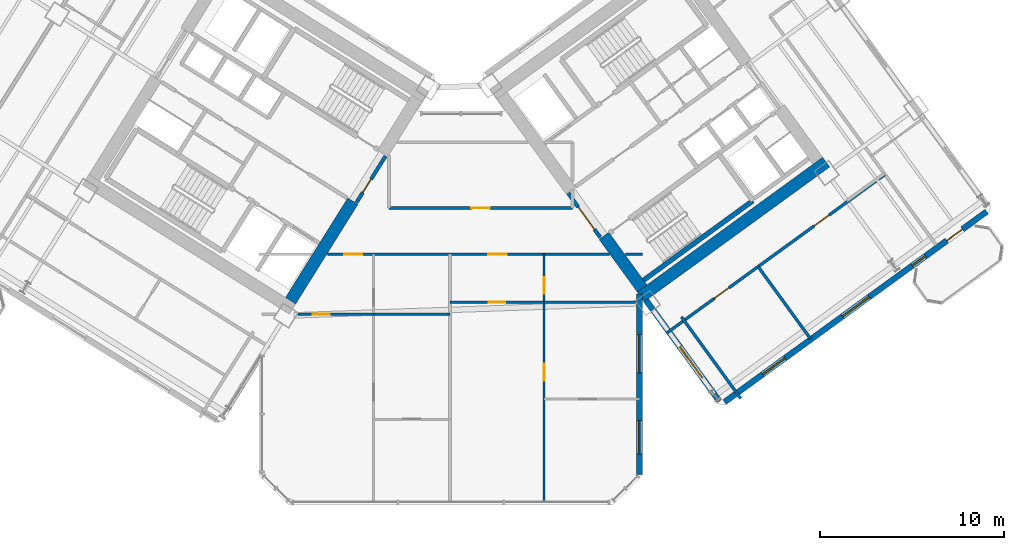
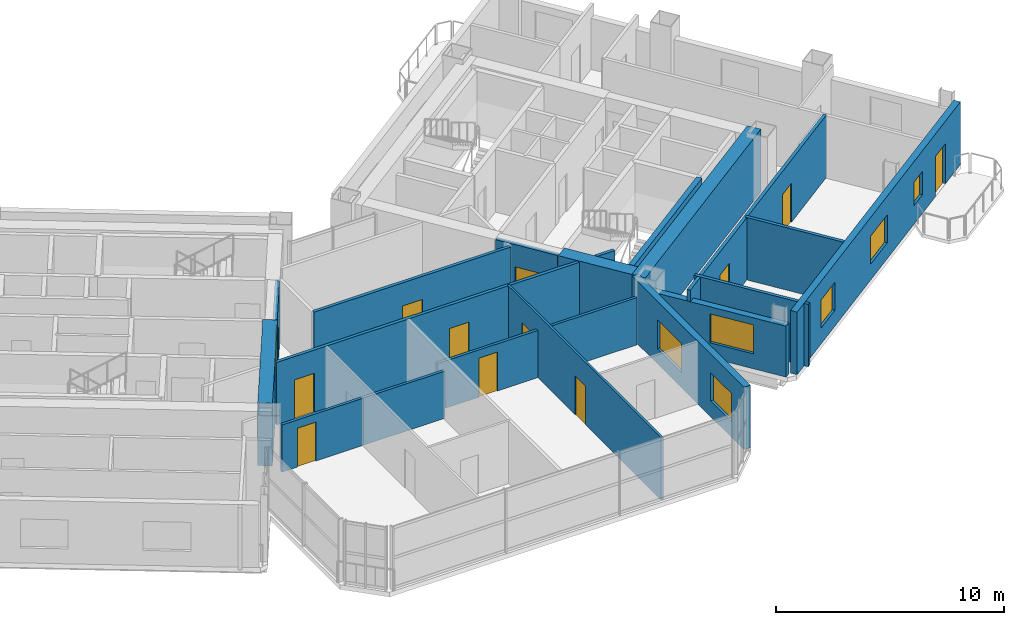
# One storey, part 17 of 24: 20 walls, 12 doors, 6 windows, 18 openings.
"""IFC4 building model written with IfcOpenShell, lengths in metres."""

from ifc_helpers import new_model, si_unit, direction, frame, frame_2d, origin, place, context, subcontext, project, spatial, rectangle, extrude, source, transform, mapped, material, layer, layer_set, type_object, element, fill, save


model = new_model("IFC4")

# Units and contexts
model_context = context("Model", 3, precision=1e-05, world=origin(), true_north=direction((0.0, 1.0)))
body_context = subcontext(model_context, "Body", "Model", "MODEL_VIEW")
ifc_project = project(units=[si_unit("LENGTHUNIT", "METRE"), si_unit("AREAUNIT", "SQUARE_METRE"), si_unit("VOLUMEUNIT", "CUBIC_METRE"), si_unit("PLANEANGLEUNIT", "RADIAN"), si_unit("MASSUNIT", "GRAM", prefix="KILO")], contexts=[model_context])

# Site, building, storey
site_placement = place(None, origin())
site = spatial("IfcSite", under=ifc_project, at=site_placement, CompositionType="ELEMENT")
building_placement = place(site_placement, origin())
building = spatial("IfcBuilding", under=site, at=building_placement, Name="Tlacorven Tower", CompositionType="ELEMENT")
storey_placement = place(building_placement, frame((0.0, 0.0, 38.39990234375)))
storey = spatial("IfcBuildingStorey", under=building, at=storey_placement, Name="L09", CompositionType="ELEMENT", Elevation=38.39990234375)

# Walls
ifc_material_1 = material(Name="Concrete C60/75", Category="concrete")
ifc_layer_1 = layer(ifc_material_1, 0.64990234375)
ifc_layer_set_1 = layer_set([ifc_layer_1], Name="Concrete C60/75")
wall_type_1 = type_object("IfcWallType", Name="WL-COR-650", PredefinedType="SHEAR", material=ifc_layer_set_1)
wall_1_placement = place(storey_placement, frame((36.683349609375, 18.30419921875, 0.0), z_axis=(0.0, 0.0, 1.0), x_axis=(-0.529899109053, -0.848060690178, 0.0)))
element("IfcWall", 1, at=wall_1_placement, inside=storey, type_object=wall_type_1, Name="L09 W core end wall E1.2", PredefinedType="SHEAR", context=body_context, shape_type="SweptSolid", body=[
    extrude(rectangle(XDim=6.375244140625, YDim=0.64990234375, at=frame_2d((3.1875, 0.0))), origin(), (0.0, 0.0, 1.0), 3.35009765625),
])
wall_2_placement = place(storey_placement, frame((52.318359375, 13.1103515625, 0.0), z_axis=(0.0, 0.0, 1.0), x_axis=(0.809019445368, 0.587781878776, 0.0)))
element("IfcWall", 2, at=wall_2_placement, inside=storey, type_object=wall_type_1, Name="L09 E core shear wall S1", PredefinedType="SHEAR", context=body_context, shape_type="SweptSolid", body=[
    extrude(rectangle(XDim=12.43994140625, YDim=0.64990234375, at=frame_2d((6.219970703125, 0.0))), origin(), (0.0, 0.0, 1.0), 3.35009765625),
])
wall_3_placement = place(storey_placement, frame((52.390380859375, 13.564208984375, 0.0), z_axis=(0.0, 0.0, 1.0), x_axis=(-0.58779688989, 0.809008539037, 0.0)))
element("IfcWall", 3, at=wall_3_placement, inside=storey, type_object=wall_type_1, Name="L09 E core end wall E1.1", PredefinedType="SHEAR", context=body_context, shape_type="SweptSolid", body=[
    extrude(rectangle(XDim=3.525146484375, YDim=0.64990234375, at=frame_2d((1.7626953125, 0.0))), origin(), (0.0, 0.0, 1.0), 3.35009765625),
])

# Wall, openings, doors
ifc_material_2 = material(Name="Gypsum plasterboard acoustic partition", Category="gypsum")
ifc_layer_2 = layer(ifc_material_2, 0.159912109375)
ifc_layer_set_2 = layer_set([ifc_layer_2], Name="Gypsum plasterboard acoustic partition")
wall_type_2 = type_object("IfcWallType", Name="WL-DEM-160", PredefinedType="PARTITIONING", material=ifc_layer_set_2)
wall_4_placement = place(storey_placement, frame((35.29638671875, 15.419921875, 0.0), z_axis=(0.0, 0.0, 1.0), x_axis=(1.0, 0.0, 0.0)))
wall_4 = element("IfcWall", 4, at=wall_4_placement, inside=storey, type_object=wall_type_2, Name="L09 Knuckle Corridor South Wall", PredefinedType="PARTITIONING", context=body_context, shape_type="SweptSolid", body=[
    extrude(rectangle(XDim=15.310546875, YDim=0.159912109375, at=frame_2d((7.6552734375, 0.0))), origin(), (0.0, 0.0, 1.0), 3.340087890625),
])
opening_1_placement = place(wall_4_placement, frame((0.91015625, 0.0, 0.0)))
opening_1 = element("IfcOpeningElement", 5, at=opening_1_placement, cuts=wall_4, Name="Opening D11", PredefinedType="OPENING", context=body_context, shape_type="SweptSolid", body=[
    extrude(rectangle(XDim=1.0, YDim=2.10009765625, at=frame_2d((0.5, 1.050048828125))), frame((0.0, 0.08984375, 0.0), z_axis=(0.0, -1.0, 0.0), x_axis=(1.0, 0.0, 0.0)), (0.0, 0.0, 1.0), 0.179931640625),
])
opening_2_placement = place(wall_4_placement, frame((8.73974609375, 0.0, 0.0)))
opening_2 = element("IfcOpeningElement", 6, at=opening_2_placement, cuts=wall_4, Name="Opening D11", PredefinedType="OPENING", context=body_context, shape_type="SweptSolid", body=[
    extrude(rectangle(XDim=1.0, YDim=2.10009765625, at=frame_2d((0.5, 1.050048828125))), frame((0.0, 0.08984375, 0.0), z_axis=(0.0, -1.0, 0.0), x_axis=(1.0, 0.0, 0.0)), (0.0, 0.0, 1.0), 0.179931640625),
])
ifc_material_3 = material(Name="Fire-rated steel door assembly", Category="steel")
door_type_1 = type_object("IfcDoorType", Name="DR-FLT-FD60-1000", OperationType="NOTDEFINED", PredefinedType="DOOR", material=ifc_material_3)
shared_shape_1 = source(origin(), body_context, "Body", "SweptSolid", [
    extrude(rectangle(XDim=1.0, YDim=2.10009765625, at=frame_2d((0.5, 1.050048828125))), frame((0.0, 0.02490234375, 0.0), z_axis=(0.0, -1.0, 0.0), x_axis=(1.0, 0.0, 0.0)), (0.0, 0.0, 1.0), 0.050048828125),
])
door_1_placement = place(opening_1_placement, frame((1.0, 0.0, 0.0), z_axis=(0.0, 0.0, 1.0), x_axis=(-1.0, 0.0, 0.0)))
door_1 = element("IfcDoor", 7, at=door_1_placement, inside=storey, type_object=door_type_1, Name="L09 door 043", OperationType="SINGLE_SWING_RIGHT", OverallHeight=2.10009765625, OverallWidth=1.0, PredefinedType="DOOR", context=body_context, shape_type="MappedRepresentation", body=[
    mapped(shared_shape_1, transform((0.0, 0.0, 0.0), scale=1.0)),
])
fill(opening_1, door_1)
door_2_placement = place(opening_2_placement, frame((1.0, 0.0, 0.0), z_axis=(0.0, 0.0, 1.0), x_axis=(-1.0, 0.0, 0.0)))
door_2 = element("IfcDoor", 8, at=door_2_placement, inside=storey, type_object=door_type_1, Name="L09 door 048", OperationType="SINGLE_SWING_LEFT", OverallHeight=2.10009765625, OverallWidth=1.0, PredefinedType="DOOR", context=body_context, shape_type="MappedRepresentation", body=[
    mapped(shared_shape_1, transform((0.0, 0.0, 0.0), scale=1.0)),
])
fill(opening_2, door_2)

# Wall
wall_5_placement = place(storey_placement, frame((51.477294921875, 15.419921875, 0.0), z_axis=(0.0, 0.0, 1.0), x_axis=(1.0, 0.0, 0.0)))
element("IfcWall", 9, at=wall_5_placement, inside=storey, type_object=wall_type_2, Name="L09 Knuckle Corridor South Wall", PredefinedType="PARTITIONING", context=body_context, shape_type="SweptSolid", body=[
    extrude(rectangle(XDim=0.922607421875, YDim=0.159912109375, at=frame_2d((0.46142578125, 0.0))), origin(), (0.0, 0.0, 1.0), 3.340087890625),
])

# Wall, opening, door
wall_6_placement = place(storey_placement, frame((38.64990234375, 17.929931640625, 0.0), z_axis=(0.0, 0.0, 1.0), x_axis=(1.0, 0.0, 0.0)))
wall_6 = element("IfcWall", 10, at=wall_6_placement, inside=storey, type_object=wall_type_2, Name="L09 partition 72", PredefinedType="PARTITIONING", context=body_context, shape_type="SweptSolid", body=[
    extrude(rectangle(XDim=9.9501953125, YDim=0.159912109375, at=frame_2d((4.97509765625, 0.0))), origin(), (0.0, 0.0, 1.0), 3.340087890625),
])
opening_3_placement = place(wall_6_placement, frame((4.47509765625, 0.0, 0.0)))
opening_3 = element("IfcOpeningElement", 11, at=opening_3_placement, cuts=wall_6, Name="Opening D11", PredefinedType="OPENING", context=body_context, shape_type="SweptSolid", body=[
    extrude(rectangle(XDim=1.0, YDim=2.10009765625, at=frame_2d((0.5, 1.050048828125))), frame((0.0, 0.08984375, 0.0), z_axis=(0.0, -1.0, 0.0), x_axis=(1.0, 0.0, 0.0)), (0.0, 0.0, 1.0), 0.179931640625),
])
door_3_placement = place(opening_3_placement, origin())
door_3 = element("IfcDoor", 12, at=door_3_placement, inside=storey, type_object=door_type_1, Name="L09 door 038", OperationType="SINGLE_SWING_LEFT", OverallHeight=2.10009765625, OverallWidth=1.0, PredefinedType="DOOR", context=body_context, shape_type="MappedRepresentation", body=[
    mapped(shared_shape_1, transform((0.0, 0.0, 0.0), scale=1.0)),
])
fill(opening_3, door_3)

# Wall, openings, doors
wall_7_placement = place(storey_placement, frame((53.70458984375, 11.1259765625, 0.0), z_axis=(0.0, 0.0, 1.0), x_axis=(0.809014504436, 0.587788679384, 0.0)))
wall_7 = element("IfcWall", 13, at=wall_7_placement, inside=storey, type_object=wall_type_2, Name="L09 partition 95", PredefinedType="PARTITIONING", context=body_context, shape_type="SweptSolid", body=[
    extrude(rectangle(XDim=14.669921875, YDim=0.159912109375, at=frame_2d((7.3349609375, 0.0))), origin(), (0.0, 0.0, 1.0), 3.340087890625),
])
opening_4_placement = place(wall_7_placement, frame((3.215087890625, 0.0, 0.0)))
opening_4 = element("IfcOpeningElement", 14, at=opening_4_placement, cuts=wall_7, Name="Opening D11", PredefinedType="OPENING", context=body_context, shape_type="SweptSolid", body=[
    extrude(rectangle(XDim=1.0, YDim=2.10009765625, at=frame_2d((0.5, 1.050048828125))), frame((0.0, 0.08984375, 0.0), z_axis=(0.0, -1.0, 0.0), x_axis=(1.0, 0.0, 0.0)), (0.0, 0.0, 1.0), 0.179931640625),
])
opening_5_placement = place(wall_7_placement, frame((9.9150390625, 0.0, 0.0)))
opening_5 = element("IfcOpeningElement", 15, at=opening_5_placement, cuts=wall_7, Name="Opening D11", PredefinedType="OPENING", context=body_context, shape_type="SweptSolid", body=[
    extrude(rectangle(XDim=1.0, YDim=2.10009765625, at=frame_2d((0.5, 1.050048828125))), frame((0.0, 0.08984375, 0.0), z_axis=(0.0, -1.0, 0.0), x_axis=(1.0, 0.0, 0.0)), (0.0, 0.0, 1.0), 0.179931640625),
])
door_4_placement = place(opening_4_placement, origin())
door_4 = element("IfcDoor", 16, at=door_4_placement, inside=storey, type_object=door_type_1, Name="L09 door 056", OperationType="SINGLE_SWING_LEFT", OverallHeight=2.10009765625, OverallWidth=1.0, PredefinedType="DOOR", context=body_context, shape_type="MappedRepresentation", body=[
    mapped(shared_shape_1, transform((0.0, 0.0, 0.0), scale=1.0)),
])
fill(opening_4, door_4)
door_5_placement = place(opening_5_placement, origin())
door_5 = element("IfcDoor", 17, at=door_5_placement, inside=storey, type_object=door_type_1, Name="L09 door 057", OperationType="SINGLE_SWING_RIGHT", OverallHeight=2.10009765625, OverallWidth=1.0, PredefinedType="DOOR", context=body_context, shape_type="MappedRepresentation", body=[
    mapped(shared_shape_1, transform((0.0, 0.0, 0.0), scale=1.0)),
])
fill(opening_5, door_5)

# Walls
wall_8_placement = place(storey_placement, frame((57.747314453125, 7.586181640625, 0.0), z_axis=(0.0, 0.0, 1.0), x_axis=(-0.587784893399, 0.809017255126, 0.0)))
element("IfcWall", 18, at=wall_8_placement, inside=storey, type_object=wall_type_2, Name="L09 EC West Throat Wall", PredefinedType="PARTITIONING", context=body_context, shape_type="SweptSolid", body=[
    extrude(rectangle(XDim=5.480224609375, YDim=0.159912109375, at=frame_2d((2.740234375, 0.0))), origin(), (0.0, 0.0, 1.0), 3.340087890625),
])
wall_9_placement = place(storey_placement, frame((61.538818359375, 10.822998046875, 0.0), z_axis=(0.0, 0.0, 1.0), x_axis=(-0.587785532001, 0.809016791155, 0.0)))
element("IfcWall", 19, at=wall_9_placement, inside=storey, type_object=wall_type_2, Name="L09 EC Demising Wall 1", PredefinedType="PARTITIONING", context=body_context, shape_type="SweptSolid", body=[
    extrude(rectangle(XDim=4.85009765625, YDim=0.159912109375, at=frame_2d((2.425048828125, 0.0))), origin(), (0.0, 0.0, 1.0), 3.340087890625),
])

# Wall, openings, door, windows
ifc_material_4 = material(Name="Precast concrete C45/55", Category="concrete")
ifc_layer_3 = layer(ifc_material_4, 0.320068359375)
ifc_layer_set_3 = layer_set([ifc_layer_3], Name="Precast concrete C45/55")
wall_type_3 = type_object("IfcWallType", Name="WL-EXT-320", PredefinedType="STANDARD", material=ifc_layer_set_3)
wall_10_placement = place(storey_placement, frame((71.097900390625, 17.73095703125, 0.0), z_axis=(0.0, 0.0, 1.0), x_axis=(-0.809021120468, -0.587779573171, 0.0)))
wall_10 = element("IfcWall", 20, at=wall_10_placement, inside=storey, type_object=wall_type_3, Name="L09 Masonry-Frame Recessed Facade Wall 6", PredefinedType="STANDARD", context=body_context, shape_type="SweptSolid", body=[
    extrude(rectangle(XDim=17.587646484375, YDim=0.320068359375, at=frame_2d((8.7939453125, 0.0))), origin(), (0.0, 0.0, 1.0), 3.35009765625),
])
opening_6_placement = place(wall_10_placement, frame((1.623779296875, 0.0, 0.0)))
opening_6 = element("IfcOpeningElement", 21, at=opening_6_placement, cuts=wall_10, Name="Opening D06", PredefinedType="OPENING", context=body_context, shape_type="SweptSolid", body=[
    extrude(rectangle(XDim=1.050048828125, YDim=2.14990234375, at=frame_2d((0.52490234375, 1.074951171875))), frame((0.0, 0.169921875, 0.0), z_axis=(0.0, -1.0, 0.0), x_axis=(1.0, 0.0, 0.0)), (0.0, 0.0, 1.0), 0.340087890625),
])
opening_7_placement = place(wall_10_placement, frame((4.103759765625, 0.0, 1.0)))
opening_7 = element("IfcOpeningElement", 22, at=opening_7_placement, cuts=wall_10, Name="Opening WN05", PredefinedType="OPENING", context=body_context, shape_type="SweptSolid", body=[
    extrude(rectangle(XDim=0.89990234375, YDim=1.25, at=frame_2d((0.449951171875, 0.625))), frame((0.0, 0.169921875, 0.0), z_axis=(0.0, -1.0, 0.0), x_axis=(1.0, 0.0, 0.0)), (0.0, 0.0, 1.0), 0.340087890625),
])
opening_8_placement = place(wall_10_placement, frame((7.878662109375, 0.0, 0.85009765625)))
opening_8 = element("IfcOpeningElement", 23, at=opening_8_placement, cuts=wall_10, Name="Opening WN01", PredefinedType="OPENING", context=body_context, shape_type="SweptSolid", body=[
    extrude(rectangle(XDim=1.800048828125, YDim=1.5, at=frame_2d((0.89990234375, 0.75))), frame((0.0, 0.169921875, 0.0), z_axis=(0.0, -1.0, 0.0), x_axis=(1.0, 0.0, 0.0)), (0.0, 0.0, 1.0), 0.340087890625),
])
opening_9_placement = place(wall_10_placement, frame((13.52880859375, 0.0, 0.85009765625)))
opening_9 = element("IfcOpeningElement", 24, at=opening_9_placement, cuts=wall_10, Name="Opening WN02", PredefinedType="OPENING", context=body_context, shape_type="SweptSolid", body=[
    extrude(rectangle(XDim=1.5, YDim=1.5, at=frame_2d((0.75, 0.75))), frame((0.0, 0.169921875, 0.0), z_axis=(0.0, -1.0, 0.0), x_axis=(1.0, 0.0, 0.0)), (0.0, 0.0, 1.0), 0.340087890625),
])
ifc_material_5 = material(Name="Powder-coated aluminium and timber door", Category="wood")
door_type_2 = type_object("IfcDoorType", Name="DR-EXT-BALC-1050", OperationType="NOTDEFINED", PredefinedType="DOOR", material=ifc_material_5)
shared_shape_2 = source(origin(), body_context, "Body", "SweptSolid", [
    extrude(rectangle(XDim=1.050048828125, YDim=2.14990234375, at=frame_2d((0.52490234375, 1.074951171875))), frame((0.0, 0.02490234375, 0.0), z_axis=(0.0, -1.0, 0.0), x_axis=(1.0, 0.0, 0.0)), (0.0, 0.0, 1.0), 0.050048828125),
])
door_6_placement = place(opening_6_placement, origin())
door_6 = element("IfcDoor", 25, at=door_6_placement, inside=storey, type_object=door_type_2, Name="L09 Outdoor Access Door BAL-L09-E-OUT", OperationType="SINGLE_SWING_LEFT", OverallHeight=2.14990234375, OverallWidth=1.050048828125, PredefinedType="DOOR", context=body_context, shape_type="MappedRepresentation", body=[
    mapped(shared_shape_2, transform((0.0, 0.0, 0.0), scale=1.0)),
])
fill(opening_6, door_6)
ifc_material_6 = material(Name="Dark solar low-E double glazing in anodised aluminium frame", Category="aluminium")
window_type_1 = type_object("IfcWindowType", Name="WN-APT-1800X1650", PartitioningType="SINGLE_PANEL", PredefinedType="WINDOW", material=ifc_material_6)
shared_shape_3 = source(origin(), body_context, "Body", "SweptSolid", [
    extrude(rectangle(XDim=1.800048828125, YDim=1.5, at=frame_2d((0.89990234375, 0.75))), frame((0.0, 0.030029296875, 0.0), z_axis=(0.0, -1.0, 0.0), x_axis=(1.0, 0.0, 0.0)), (0.0, 0.0, 1.0), 0.06005859375),
])
window_1_placement = place(opening_8_placement, origin())
window_1 = element("IfcWindow", 26, at=window_1_placement, inside=storey, type_object=window_type_1, Name="L09 Recessed Masonry-Frame Window L09-06.2", OverallHeight=1.5, OverallWidth=1.800048828125, PartitioningType="SINGLE_PANEL", PredefinedType="WINDOW", context=body_context, shape_type="MappedRepresentation", body=[
    mapped(shared_shape_3, transform((0.0, 0.0, 0.0), scale=1.0)),
])
fill(opening_8, window_1)
window_type_2 = type_object("IfcWindowType", Name="WN-APT-1500X1650", PartitioningType="SINGLE_PANEL", PredefinedType="WINDOW", material=ifc_material_6)
shared_shape_4 = source(origin(), body_context, "Body", "SweptSolid", [
    extrude(rectangle(XDim=1.5, YDim=1.5, at=frame_2d((0.75, 0.75))), frame((0.0, 0.030029296875, 0.0), z_axis=(0.0, -1.0, 0.0), x_axis=(1.0, 0.0, 0.0)), (0.0, 0.0, 1.0), 0.06005859375),
])
window_2_placement = place(opening_9_placement, origin())
window_2 = element("IfcWindow", 27, at=window_2_placement, inside=storey, type_object=window_type_2, Name="L09 Recessed Masonry-Frame Window L09-06.3", OverallHeight=1.5, OverallWidth=1.5, PartitioningType="SINGLE_PANEL", PredefinedType="WINDOW", context=body_context, shape_type="MappedRepresentation", body=[
    mapped(shared_shape_4, transform((0.0, 0.0, 0.0), scale=1.0)),
])
fill(opening_9, window_2)
window_type_3 = type_object("IfcWindowType", Name="WN-APT-0900X1350", PartitioningType="SINGLE_PANEL", PredefinedType="WINDOW", material=ifc_material_6)
shared_shape_5 = source(origin(), body_context, "Body", "SweptSolid", [
    extrude(rectangle(XDim=0.89990234375, YDim=1.25, at=frame_2d((0.449951171875, 0.625))), frame((0.0, 0.030029296875, 0.0), z_axis=(0.0, -1.0, 0.0), x_axis=(1.0, 0.0, 0.0)), (0.0, 0.0, 1.0), 0.06005859375),
])
window_3_placement = place(opening_7_placement, origin())
window_3 = element("IfcWindow", 28, at=window_3_placement, inside=storey, type_object=window_type_3, Name="L09 Recessed Masonry-Frame Window L09-06.1", OverallHeight=1.25, OverallWidth=0.89990234375, PartitioningType="SINGLE_PANEL", PredefinedType="WINDOW", context=body_context, shape_type="MappedRepresentation", body=[
    mapped(shared_shape_5, transform((0.0, 0.0, 0.0), scale=1.0)),
])
fill(opening_7, window_3)

# Wall, opening, window
wall_11_placement = place(storey_placement, frame((56.5810546875, 7.43896484375, 0.0), z_axis=(0.0, 0.0, 1.0), x_axis=(-0.587785875463, 0.809016541614, 0.0)))
wall_11 = element("IfcWall", 29, at=wall_11_placement, inside=storey, type_object=wall_type_3, Name="L09 Masonry-Frame Recessed Facade Wall 7", PredefinedType="STANDARD", context=body_context, shape_type="SweptSolid", body=[
    extrude(rectangle(XDim=6.773681640625, YDim=0.320068359375, at=frame_2d((3.38671875, 0.0))), origin(), (0.0, 0.0, 1.0), 2.72509765625),
])
opening_10_placement = place(wall_11_placement, frame((1.55615234375, 0.0, 0.800048828125)))
opening_10 = element("IfcOpeningElement", 30, at=opening_10_placement, cuts=wall_11, Name="Opening WN04", PredefinedType="OPENING", context=body_context, shape_type="SweptSolid", body=[
    extrude(rectangle(XDim=2.10009765625, YDim=1.550048828125, at=frame_2d((1.050048828125, 0.77490234375))), frame((0.0, 0.169921875, 0.0), z_axis=(0.0, -1.0, 0.0), x_axis=(1.0, 0.0, 0.0)), (0.0, 0.0, 1.0), 0.340087890625),
])
window_type_4 = type_object("IfcWindowType", Name="WN-APT-2100X1750", PartitioningType="SINGLE_PANEL", PredefinedType="WINDOW", material=ifc_material_6)
shared_shape_6 = source(origin(), body_context, "Body", "SweptSolid", [
    extrude(rectangle(XDim=2.10009765625, YDim=1.550048828125, at=frame_2d((1.050048828125, 0.77490234375))), frame((0.0, 0.030029296875, 0.0), z_axis=(0.0, -1.0, 0.0), x_axis=(1.0, 0.0, 0.0)), (0.0, 0.0, 1.0), 0.06005859375),
])
window_4_placement = place(opening_10_placement, origin())
window_4 = element("IfcWindow", 31, at=window_4_placement, inside=storey, type_object=window_type_4, Name="L09 Recessed Masonry-Frame Window L09-07.1", OverallHeight=1.550048828125, OverallWidth=2.10009765625, PartitioningType="SINGLE_PANEL", PredefinedType="WINDOW", context=body_context, shape_type="MappedRepresentation", body=[
    mapped(shared_shape_6, transform((0.0, 0.0, 0.0), scale=1.0)),
])
fill(opening_10, window_4)

# Wall, openings, windows
wall_12_placement = place(storey_placement, frame((52.239990234375, 13.260986328125, 0.0), z_axis=(0.0, 0.0, 1.0), x_axis=(0.0, -1.0, 0.0)))
wall_12 = element("IfcWall", 32, at=wall_12_placement, inside=storey, type_object=wall_type_3, Name="L09 Masonry-Frame Recessed Facade Wall 8", PredefinedType="STANDARD", context=body_context, shape_type="SweptSolid", body=[
    extrude(rectangle(XDim=9.794677734375, YDim=0.320068359375, at=frame_2d((4.8974609375, 0.0))), origin(), (0.0, 0.0, 1.0), 3.35009765625),
])
opening_11_placement = place(wall_12_placement, frame((2.199462890625, 0.0, 0.800048828125)))
opening_11 = element("IfcOpeningElement", 33, at=opening_11_placement, cuts=wall_12, Name="Opening WN04", PredefinedType="OPENING", context=body_context, shape_type="SweptSolid", body=[
    extrude(rectangle(XDim=2.10009765625, YDim=1.550048828125, at=frame_2d((1.050048828125, 0.77490234375))), frame((0.0, 0.169921875, 0.0), z_axis=(0.0, -1.0, 0.0), x_axis=(1.0, 0.0, 0.0)), (0.0, 0.0, 1.0), 0.340087890625),
])
opening_12_placement = place(wall_12_placement, frame((6.880126953125, 0.0, 0.85009765625)))
opening_12 = element("IfcOpeningElement", 34, at=opening_12_placement, cuts=wall_12, Name="Opening WN01", PredefinedType="OPENING", context=body_context, shape_type="SweptSolid", body=[
    extrude(rectangle(XDim=1.800048828125, YDim=1.5, at=frame_2d((0.89990234375, 0.75))), frame((0.0, 0.169921875, 0.0), z_axis=(0.0, -1.0, 0.0), x_axis=(1.0, 0.0, 0.0)), (0.0, 0.0, 1.0), 0.340087890625),
])
window_5_placement = place(opening_11_placement, origin())
window_5 = element("IfcWindow", 35, at=window_5_placement, inside=storey, type_object=window_type_4, Name="L09 Recessed Masonry-Frame Window L09-08.1", OverallHeight=1.550048828125, OverallWidth=2.10009765625, PartitioningType="SINGLE_PANEL", PredefinedType="WINDOW", context=body_context, shape_type="MappedRepresentation", body=[
    mapped(shared_shape_6, transform((0.0, 0.0, 0.0), scale=1.0)),
])
fill(opening_11, window_5)
window_6_placement = place(opening_12_placement, origin())
window_6 = element("IfcWindow", 36, at=window_6_placement, inside=storey, type_object=window_type_1, Name="L09 Recessed Masonry-Frame Window L09-08.2", OverallHeight=1.5, OverallWidth=1.800048828125, PartitioningType="SINGLE_PANEL", PredefinedType="WINDOW", context=body_context, shape_type="MappedRepresentation", body=[
    mapped(shared_shape_3, transform((0.0, 0.0, 0.0), scale=1.0)),
])
fill(opening_12, window_6)

# Wall, openings, doors
ifc_material_7 = material(Name="Gypsum plasterboard partition", Category="gypsum")
ifc_layer_4 = layer(ifc_material_7, 0.110107421875)
ifc_layer_set_4 = layer_set([ifc_layer_4], Name="Gypsum plasterboard partition")
wall_type_4 = type_object("IfcWallType", Name="WL-INT-110", PredefinedType="PARTITIONING", material=ifc_layer_set_4)
wall_13_placement = place(storey_placement, frame((47.072021484375, 1.9599609375, 0.0), z_axis=(0.0, 0.0, 1.0), x_axis=(0.0, 1.0, 0.0)))
wall_13 = element("IfcWall", 37, at=wall_13_placement, inside=storey, type_object=wall_type_4, Name="L09 partition 82", PredefinedType="PARTITIONING", context=body_context, shape_type="SweptSolid", body=[
    extrude(rectangle(XDim=13.4599609375, YDim=0.110107421875, at=frame_2d((6.72998046875, 0.0))), origin(), (0.0, 0.0, 1.0), 3.340087890625),
])
opening_13_placement = place(wall_13_placement, frame((6.60009765625, 0.0, 0.0)))
opening_13 = element("IfcOpeningElement", 38, at=opening_13_placement, cuts=wall_13, Name="Opening D12", PredefinedType="OPENING", context=body_context, shape_type="SweptSolid", body=[
    extrude(rectangle(XDim=0.919921875, YDim=2.080078125, at=frame_2d((0.4599609375, 1.0400390625))), frame((0.0, 0.06494140625, 0.0), z_axis=(0.0, -1.0, 0.0), x_axis=(1.0, 0.0, 0.0)), (0.0, 0.0, 1.0), 0.130126953125),
])
opening_14_placement = place(wall_13_placement, frame((11.320068359375, 0.0, 0.0)))
opening_14 = element("IfcOpeningElement", 39, at=opening_14_placement, cuts=wall_13, Name="Opening D13", PredefinedType="OPENING", context=body_context, shape_type="SweptSolid", body=[
    extrude(rectangle(XDim=0.8798828125, YDim=2.080078125, at=frame_2d((0.43994140625, 1.0400390625))), frame((0.0, 0.06494140625, 0.0), z_axis=(0.0, -1.0, 0.0), x_axis=(1.0, 0.0, 0.0)), (0.0, 0.0, 1.0), 0.130126953125),
])
door_type_3 = type_object("IfcDoorType", Name="DR-INT-WET-0880", OperationType="NOTDEFINED", PredefinedType="DOOR", material=ifc_material_5)
shared_shape_7 = source(origin(), body_context, "Body", "SweptSolid", [
    extrude(rectangle(XDim=0.8798828125, YDim=2.080078125, at=frame_2d((0.43994140625, 1.0400390625))), frame((0.0, 0.02490234375, 0.0), z_axis=(0.0, -1.0, 0.0), x_axis=(1.0, 0.0, 0.0)), (0.0, 0.0, 1.0), 0.050048828125),
])
door_7_placement = place(opening_14_placement, origin())
door_7 = element("IfcDoor", 40, at=door_7_placement, inside=storey, type_object=door_type_3, Name="L09 door 050", OperationType="SINGLE_SWING_LEFT", OverallHeight=2.080078125, OverallWidth=0.8798828125, PredefinedType="DOOR", context=body_context, shape_type="MappedRepresentation", body=[
    mapped(shared_shape_7, transform((0.0, 0.0, 0.0), scale=1.0)),
])
fill(opening_14, door_7)
door_type_4 = type_object("IfcDoorType", Name="DR-INT-ROOM-0920", OperationType="NOTDEFINED", PredefinedType="DOOR", material=ifc_material_5)
shared_shape_8 = source(origin(), body_context, "Body", "SweptSolid", [
    extrude(rectangle(XDim=0.919921875, YDim=2.080078125, at=frame_2d((0.4599609375, 1.0400390625))), frame((0.0, 0.02490234375, 0.0), z_axis=(0.0, -1.0, 0.0), x_axis=(1.0, 0.0, 0.0)), (0.0, 0.0, 1.0), 0.050048828125),
])
door_8_placement = place(opening_13_placement, origin())
door_8 = element("IfcDoor", 41, at=door_8_placement, inside=storey, type_object=door_type_4, Name="L09 door 046", OperationType="SINGLE_SWING_LEFT", OverallHeight=2.080078125, OverallWidth=0.919921875, PredefinedType="DOOR", context=body_context, shape_type="MappedRepresentation", body=[
    mapped(shared_shape_8, transform((0.0, 0.0, 0.0), scale=1.0)),
])
fill(opening_13, door_8)

# Wall, opening, door
ifc_material_8 = material(Name="Moisture-resistant gypsum plumbing wall", Category="gypsum")
ifc_layer_5 = layer(ifc_material_8, 0.139892578125)
ifc_layer_set_5 = layer_set([ifc_layer_5], Name="Moisture-resistant gypsum plumbing wall")
wall_type_5 = type_object("IfcWallType", Name="WL-PLM-140", PredefinedType="PLUMBINGWALL", material=ifc_layer_set_5)
wall_14_placement = place(storey_placement, frame((33.701904296875, 12.169921875, 0.0), z_axis=(0.0, 0.0, 1.0), x_axis=(1.0, 0.0, 0.0)))
wall_14 = element("IfcWall", 42, at=wall_14_placement, inside=storey, type_object=wall_type_5, Name="L09 partition 79", PredefinedType="PLUMBINGWALL", context=body_context, shape_type="SweptSolid", body=[
    extrude(rectangle(XDim=4.111083984375, YDim=0.139892578125, at=frame_2d((2.0556640625, 0.0))), origin(), (0.0, 0.0, 1.0), 2.525146484375),
])
opening_15_placement = place(wall_14_placement, frame((0.794677734375, 0.0, 0.0)))
opening_15 = element("IfcOpeningElement", 43, at=opening_15_placement, cuts=wall_14, Name="Opening D12", PredefinedType="OPENING", context=body_context, shape_type="SweptSolid", body=[
    extrude(rectangle(XDim=0.919921875, YDim=2.080078125, at=frame_2d((0.4599609375, 1.0400390625))), frame((0.0, 0.080078125, 0.0), z_axis=(0.0, -1.0, 0.0), x_axis=(1.0, 0.0, 0.0)), (0.0, 0.0, 1.0), 0.159912109375),
])
door_9_placement = place(opening_15_placement, frame((0.919921875, 0.0, 0.0), z_axis=(0.0, 0.0, 1.0), x_axis=(-1.0, 0.0, 0.0)))
door_9 = element("IfcDoor", 44, at=door_9_placement, inside=storey, type_object=door_type_4, Name="L09 door 044", OperationType="SINGLE_SWING_RIGHT", OverallHeight=2.080078125, OverallWidth=0.919921875, PredefinedType="DOOR", context=body_context, shape_type="MappedRepresentation", body=[
    mapped(shared_shape_8, transform((0.0, 0.0, 0.0), scale=1.0)),
])
fill(opening_15, door_9)

# Wall
wall_15_placement = place(storey_placement, frame((37.81298828125, 12.169921875, 0.0), z_axis=(0.0, 0.0, 1.0), x_axis=(1.0, 0.0, 0.0)))
element("IfcWall", 45, at=wall_15_placement, inside=storey, type_object=wall_type_5, Name="L09 partition 80", PredefinedType="PLUMBINGWALL", context=body_context, shape_type="SweptSolid", body=[
    extrude(rectangle(XDim=4.136962890625, YDim=0.139892578125, at=frame_2d((2.068359375, 0.0))), origin(), (0.0, 0.0, 1.0), 2.525146484375),
])

# Wall, opening, door
wall_16_placement = place(storey_placement, frame((41.949951171875, 12.820068359375, 0.0), z_axis=(0.0, 0.0, 1.0), x_axis=(1.0, 0.0, 0.0)))
wall_16 = element("IfcWall", 46, at=wall_16_placement, inside=storey, type_object=wall_type_5, Name="L09 partition 83", PredefinedType="PLUMBINGWALL", context=body_context, shape_type="SweptSolid", body=[
    extrude(rectangle(XDim=5.1220703125, YDim=0.139892578125, at=frame_2d((2.56103515625, 0.0))), origin(), (0.0, 0.0, 1.0), 2.525146484375),
])
opening_16_placement = place(wall_16_placement, frame((2.10107421875, 0.0, 0.0)))
opening_16 = element("IfcOpeningElement", 47, at=opening_16_placement, cuts=wall_16, Name="Opening D12", PredefinedType="OPENING", context=body_context, shape_type="SweptSolid", body=[
    extrude(rectangle(XDim=0.919921875, YDim=2.080078125, at=frame_2d((0.4599609375, 1.0400390625))), frame((0.0, 0.080078125, 0.0), z_axis=(0.0, -1.0, 0.0), x_axis=(1.0, 0.0, 0.0)), (0.0, 0.0, 1.0), 0.159912109375),
])
door_10_placement = place(opening_16_placement, frame((0.919921875, 0.0, 0.0), z_axis=(0.0, 0.0, 1.0), x_axis=(-1.0, 0.0, 0.0)))
door_10 = element("IfcDoor", 48, at=door_10_placement, inside=storey, type_object=door_type_4, Name="L09 door 049", OperationType="SINGLE_SWING_RIGHT", OverallHeight=2.080078125, OverallWidth=0.919921875, PredefinedType="DOOR", context=body_context, shape_type="MappedRepresentation", body=[
    mapped(shared_shape_8, transform((0.0, 0.0, 0.0), scale=1.0)),
])
fill(opening_16, door_10)

# Wall
wall_17_placement = place(storey_placement, frame((47.072021484375, 12.820068359375, 0.0), z_axis=(0.0, 0.0, 1.0), x_axis=(1.0, 0.0, 0.0)))
element("IfcWall", 49, at=wall_17_placement, inside=storey, type_object=wall_type_5, Name="L09 partition 84", PredefinedType="PLUMBINGWALL", context=body_context, shape_type="SweptSolid", body=[
    extrude(rectangle(XDim=4.966552734375, YDim=0.139892578125, at=frame_2d((2.4833984375, 0.0))), origin(), (0.0, 0.0, 1.0), 2.525146484375),
])

# Wall, opening, door
ifc_material_9 = material(Name="Concrete C40/50", Category="concrete")
ifc_layer_6 = layer(ifc_material_9, 0.199951171875)
ifc_layer_set_6 = layer_set([ifc_layer_6], Name="Concrete C40/50")
wall_type_6 = type_object("IfcWallType", Name="WL-SHF-200", PredefinedType="STANDARD", material=ifc_layer_set_6)
wall_18_placement = place(storey_placement, frame((38.451416015625, 20.737060546875, 0.0), z_axis=(0.0, 0.0, 1.0), x_axis=(-0.529924799939, -0.848044637038, 0.0)))
wall_18 = element("IfcWall", 50, at=wall_18_placement, inside=storey, type_object=wall_type_6, Name="L09 partition 70", PredefinedType="STANDARD", context=body_context, shape_type="SweptSolid", body=[
    extrude(rectangle(XDim=2.9599609375, YDim=0.199951171875, at=frame_2d((1.47998046875, 0.0))), origin(), (0.0, 0.0, 1.0), 3.340087890625),
])
opening_17_placement = place(wall_18_placement, frame((1.4599609375, 0.0, 0.0)))
opening_17 = element("IfcOpeningElement", 51, at=opening_17_placement, cuts=wall_18, Name="Opening D19", PredefinedType="OPENING", context=body_context, shape_type="SweptSolid", body=[
    extrude(rectangle(XDim=0.860107421875, YDim=2.050048828125, at=frame_2d((0.43017578125, 1.02490234375))), frame((0.0, 0.10986328125, 0.0), z_axis=(0.0, -1.0, 0.0), x_axis=(1.0, 0.0, 0.0)), (0.0, 0.0, 1.0), 0.219970703125),
])
door_type_5 = type_object("IfcDoorType", Name="DR-RSR-FD60-0860", OperationType="NOTDEFINED", PredefinedType="DOOR", material=ifc_material_3)
shared_shape_9 = source(origin(), body_context, "Body", "SweptSolid", [
    extrude(rectangle(XDim=0.860107421875, YDim=2.050048828125, at=frame_2d((0.43017578125, 1.02490234375))), frame((0.0, 0.02490234375, 0.0), z_axis=(0.0, -1.0, 0.0), x_axis=(1.0, 0.0, 0.0)), (0.0, 0.0, 1.0), 0.050048828125),
])
door_11_placement = place(opening_17_placement, frame((0.860107421875, 0.0, 0.0), z_axis=(0.0, 0.0, 1.0), x_axis=(-1.0, 0.0, 0.0)))
door_11 = element("IfcDoor", 52, at=door_11_placement, inside=storey, type_object=door_type_5, Name="L09 door 039", OperationType="SINGLE_SWING_LEFT", OverallHeight=2.050048828125, OverallWidth=0.860107421875, PredefinedType="DOOR", context=body_context, shape_type="MappedRepresentation", body=[
    mapped(shared_shape_9, transform((0.0, 0.0, 0.0), scale=1.0)),
])
fill(opening_17, door_11)

wall_19_placement = place(storey_placement, frame((50.119140625, 16.3330078125, 0.0), z_axis=(0.0, 0.0, 1.0), x_axis=(-0.587749856981, 0.809042709391, 0.0)))
wall_19 = element("IfcWall", 53, at=wall_19_placement, inside=storey, type_object=wall_type_6, Name="L09 partition 76", PredefinedType="STANDARD", context=body_context, shape_type="SweptSolid", body=[
    extrude(rectangle(XDim=2.9599609375, YDim=0.199951171875, at=frame_2d((1.47998046875, 0.0))), origin(), (0.0, 0.0, 1.0), 3.340087890625),
])
opening_18_placement = place(wall_19_placement, frame((0.530029296875, 0.0, 0.0)))
opening_18 = element("IfcOpeningElement", 54, at=opening_18_placement, cuts=wall_19, Name="Opening D10", PredefinedType="OPENING", context=body_context, shape_type="SweptSolid", body=[
    extrude(rectangle(XDim=1.5, YDim=2.14990234375, at=frame_2d((0.75, 1.074951171875))), frame((0.0, 0.10986328125, 0.0), z_axis=(0.0, -1.0, 0.0), x_axis=(1.0, 0.0, 0.0)), (0.0, 0.0, 1.0), 0.219970703125),
])
door_type_6 = type_object("IfcDoorType", Name="DR-LOB-FD60-1500", OperationType="DOUBLE_DOOR_SINGLE_SWING", PredefinedType="DOOR", material=ifc_material_3)
shared_shape_10 = source(origin(), body_context, "Body", "SweptSolid", [
    extrude(rectangle(XDim=1.5, YDim=2.14990234375, at=frame_2d((0.75, 1.074951171875))), frame((0.0, 0.02490234375, 0.0), z_axis=(0.0, -1.0, 0.0), x_axis=(1.0, 0.0, 0.0)), (0.0, 0.0, 1.0), 0.050048828125),
])
door_12_placement = place(opening_18_placement, frame((1.5, 0.0, 0.0), z_axis=(0.0, 0.0, 1.0), x_axis=(-1.0, 0.0, 0.0)))
door_12 = element("IfcDoor", 55, at=door_12_placement, inside=storey, type_object=door_type_6, Name="L09 door 040", OperationType="DOUBLE_DOOR_SINGLE_SWING", OverallHeight=2.14990234375, OverallWidth=1.5, PredefinedType="DOOR", context=body_context, shape_type="MappedRepresentation", body=[
    mapped(shared_shape_10, transform((0.0, 0.0, 0.0), scale=1.0)),
])
fill(opening_18, door_12)

# Wall
ifc_material_10 = material(Name="Concrete C50/60", Category="concrete")
ifc_layer_7 = layer(ifc_material_10, 0.260009765625)
ifc_layer_set_7 = layer_set([ifc_layer_7], Name="Concrete C50/60")
wall_type_7 = type_object("IfcWallType", Name="WL-STW-260", PredefinedType="SHEAR", material=ifc_layer_set_7)
wall_20_placement = place(storey_placement, frame((52.47216796875, 14.01318359375, 0.0), z_axis=(0.0, 0.0, 1.0), x_axis=(0.809028366311, 0.587769599847, 0.0)))
element("IfcWall", 56, at=wall_20_placement, inside=storey, type_object=wall_type_7, Name="L09 Stair E2 Far Shear Wall", PredefinedType="SHEAR", context=body_context, shape_type="SweptSolid", body=[
    extrude(rectangle(XDim=7.330078125, YDim=0.260009765625, at=frame_2d((3.6650390625, 0.0))), origin(), (0.0, 0.0, 1.0), 3.35009765625),
])

save(model, "model.ifc")
